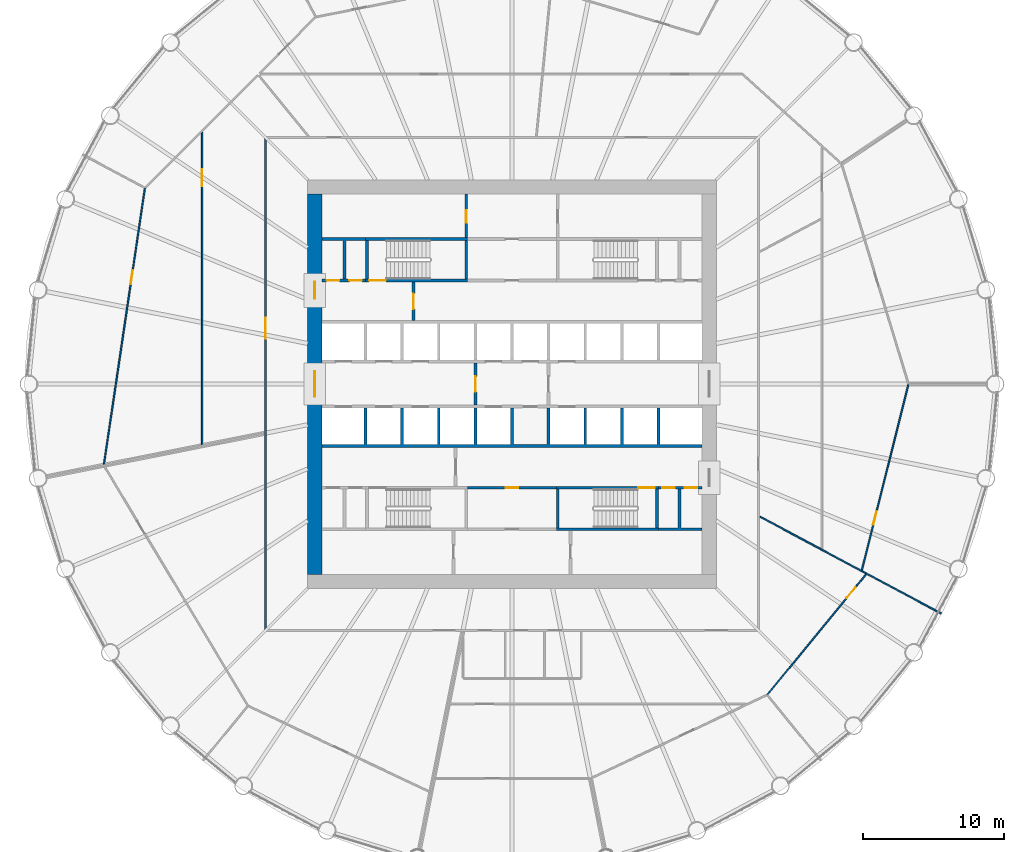
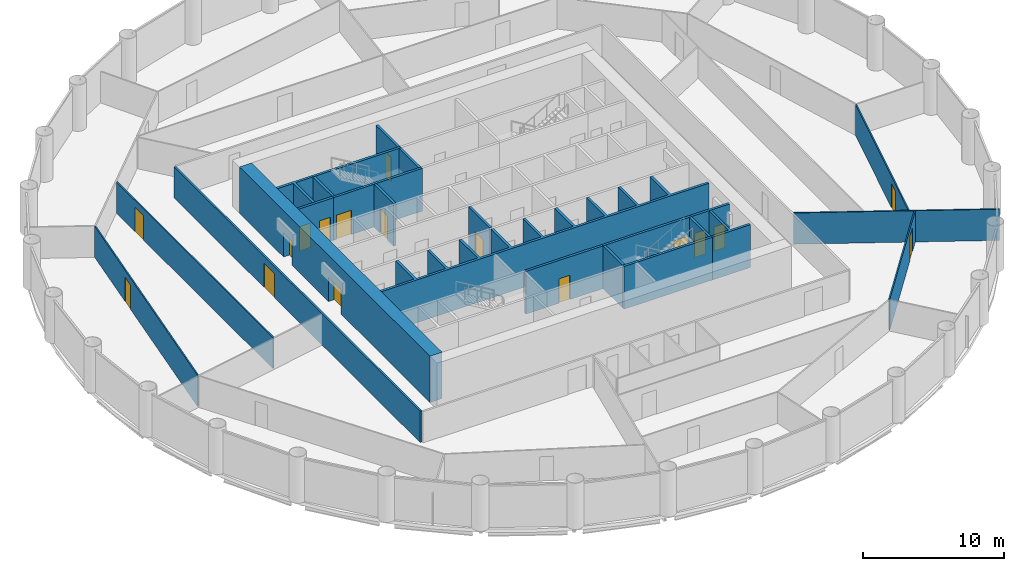
# One storey, part 5 of 8: 24 walls, 17 doors, 17 openings.
"""IFC4 building model written with IfcOpenShell, lengths in metres."""

import ifcopenshell
import ifcopenshell.guid

model = None  # the IFC model being written
_history = None  # IfcOwnerHistory: only IFC2X3 demands one
_inside = {}  # id of a spatial element -> (the spatial element, [elements in it])
_under = {}  # id of a project, library or spatial element -> (it, [spatial elements below it])
_declared = {}  # id of a project -> (the project, [libraries it declares])
_typed = {}  # id of a type object -> (the type object, [elements of that type])
_made_of = {}  # id of a material, layer set ... -> (it, [elements and type objects made of it])


def new_model(schema):
    """Start an empty IFC model of exactly this schema.

    Asked for "IFC4X3", IfcOpenShell would pick the latest addendum, in which some entities
    have other attributes; the version numbers below select the first issue.
    IFC2X3 requires an IfcOwnerHistory on every rooted entity: one is made here for all.
    """
    global model, _history
    if schema == "IFC4X3":
        model = ifcopenshell.file(schema_version=(4, 3, 0, 0))
    else:
        model = ifcopenshell.file(schema=schema)
    _inside.clear()
    _under.clear()
    _declared.clear()
    _typed.clear()
    _made_of.clear()
    _history = None
    if model.schema == "IFC2X3":
        org = make("IfcOrganization", Name="unknown")
        user = make(
            "IfcPersonAndOrganization",
            ThePerson=make("IfcPerson", FamilyName="unknown"),
            TheOrganization=org,
        )
        app = make(
            "IfcApplication",
            ApplicationDeveloper=org,
            Version="unknown",
            ApplicationFullName="unknown",
            ApplicationIdentifier="unknown",
        )
        _history = make(
            "IfcOwnerHistory",
            OwningUser=user,
            OwningApplication=app,
            ChangeAction="ADDED",
            CreationDate=0,
        )
    return model


def make(cls, **values):
    """One entity of the class cls with the attributes given. An attribute that is None is left unset."""
    return model.create_entity(
        cls, **{name: value for name, value in values.items() if value is not None}
    )


def rooted(cls, **values):
    """An entity with a GlobalId (a new one), such as an element, a storey or a relation."""
    return make(cls, GlobalId=ifcopenshell.guid.new(), OwnerHistory=_history, **values)


def si_unit(unit_type, name, prefix=None):
    """IfcSIUnit, for example si_unit("LENGTHUNIT", "METRE", prefix="MILLI")."""
    return make("IfcSIUnit", UnitType=unit_type, Prefix=prefix, Name=name)


def assignment(units):
    """IfcUnitAssignment: the units of a project."""
    return None if units is None else make("IfcUnitAssignment", Units=units)


def point(xyz):
    """IfcCartesianPoint."""
    return None if xyz is None else make("IfcCartesianPoint", Coordinates=xyz)


def direction(xyz):
    """IfcDirection."""
    return None if xyz is None else make("IfcDirection", DirectionRatios=xyz)


def frame(location, z_axis=None, x_axis=None):
    """IfcAxis2Placement3D, a coordinate frame: its origin and axes. An axis left out is left unset."""
    return make(
        "IfcAxis2Placement3D",
        Location=point(location),
        Axis=direction(z_axis),
        RefDirection=direction(x_axis),
    )


def frame_2d(location, x_axis=None):
    """IfcAxis2Placement2D, a coordinate frame in the plane: its origin and x axis."""
    return make(
        "IfcAxis2Placement2D", Location=point(location), RefDirection=direction(x_axis)
    )


def origin():
    """The frame at (0, 0, 0) with its axes left unset."""
    return frame((0.0, 0.0, 0.0))


def place(relative_to, where):
    """IfcLocalPlacement: puts the frame where relative to a parent placement (None: the world)."""
    return make(
        "IfcLocalPlacement", PlacementRelTo=relative_to, RelativePlacement=where
    )


def context(
    kind, dimensions, precision=None, world=None, true_north=None, identifier=None
):
    """IfcGeometricRepresentationContext, for example the 3D "Model" context."""
    return make(
        "IfcGeometricRepresentationContext",
        ContextIdentifier=identifier,
        ContextType=kind,
        CoordinateSpaceDimension=dimensions,
        Precision=precision,
        WorldCoordinateSystem=world,
        TrueNorth=true_north,
    )


def subcontext(parent, identifier, kind, view, scale=None):
    """IfcGeometricRepresentationSubContext, for example "Body" below "Model"."""
    return make(
        "IfcGeometricRepresentationSubContext",
        ContextIdentifier=identifier,
        ContextType=kind,
        ParentContext=parent,
        TargetScale=scale,
        TargetView=view,
    )


def project(units=None, contexts=None):
    """IfcProject with its units and contexts."""
    return rooted(
        "IfcProject",
        Name="project",
        RepresentationContexts=contexts,
        UnitsInContext=assignment(units),
    )


def spatial(cls, under=None, at=None, **own):
    """A site, building, storey or space (cls), placed at a placement, below another one or the project."""
    s = rooted(cls, ObjectPlacement=at, **own)
    if under is not None:
        _under.setdefault(under.id(), (under, []))[1].append(s)
    return s


def polyline(points):
    """IfcPolyline through the points."""
    return make("IfcPolyline", Points=[point(p) for p in points])


def profile(cls, at=None, kind="AREA", **sizes):
    """A parametric profile (cls). Its sizes go by their IFC names, for example OverallWidth=200.0."""
    return make(cls, ProfileType=kind, Position=at, **sizes)


def rectangle(**sizes):
    """IfcRectangleProfileDef."""
    return profile("IfcRectangleProfileDef", **sizes)


def outline(outer, holes=None, kind="AREA"):
    """IfcArbitraryClosedProfileDef: a profile drawn as a closed curve; with holes, ...WithVoids."""
    if holes is None:
        return make("IfcArbitraryClosedProfileDef", ProfileType=kind, OuterCurve=outer)
    return make(
        "IfcArbitraryProfileDefWithVoids",
        ProfileType=kind,
        OuterCurve=outer,
        InnerCurves=holes,
    )


def extrude(swept, where, along, depth):
    """IfcExtrudedAreaSolid: the profile swept, set in the frame where, extruded along a direction by depth."""
    return make(
        "IfcExtrudedAreaSolid",
        SweptArea=swept,
        Position=where,
        ExtrudedDirection=direction(along),
        Depth=depth,
    )


def shape(context_of_items, identifier, shape_type, items):
    """IfcShapeRepresentation: the items that make up one representation, for example the "Body"."""
    return make(
        "IfcShapeRepresentation",
        ContextOfItems=context_of_items,
        RepresentationIdentifier=identifier,
        RepresentationType=shape_type,
        Items=items,
    )


def material(Name=None, Category=None):
    """IfcMaterial."""
    return make("IfcMaterial", Name=Name, Category=Category)


def layer(
    of_material, thickness, ventilated=None, Name=None, Category=None, Priority=None
):
    """IfcMaterialLayer: one layer of a wall or slab, of a material (None: an air gap)."""
    return make(
        "IfcMaterialLayer",
        Material=of_material,
        LayerThickness=thickness,
        IsVentilated=ventilated,
        Name=Name,
        Category=Category,
        Priority=Priority,
    )


def layer_set(layers, Name=None):
    """IfcMaterialLayerSet."""
    return make("IfcMaterialLayerSet", MaterialLayers=layers, LayerSetName=Name)


def made_of(thing, what):
    """Note that an element or type object is made of a material, layer set ...; save() writes the relation."""
    if what is not None:
        _made_of.setdefault(what.id(), (what, []))[1].append(thing)
    return thing


def type_object(cls, material=None, **own):
    """A type object (cls), such as IfcWallType, which elements share."""
    return made_of(rooted(cls, **own), material)


def element(
    cls,
    number,
    at=None,
    inside=None,
    cuts=None,
    type_object=None,
    material=None,
    context=None,
    identifier="Body",
    shape_type=None,
    held_by="IfcProductDefinitionShape",
    body=None,
    shapes=None,
    **own,
):
    """One element of the class cls, such as IfcWall. Its Tag is "e" and its number.

    at: its placement. inside: the storey or other place that contains it. cuts: it is an
    opening in that element (IfcRelVoidsElement). A single representation is given by context,
    identifier, shape_type and body (its items); several are given by shapes. held_by: the class
    of the entity that holds the representations. save() writes the other relations.
    """
    e = rooted(cls, Tag="e%d" % number, ObjectPlacement=at, **own)
    if body is not None:
        shapes = [shape(context, identifier, shape_type, body)]
    if shapes is not None:
        e.Representation = make(held_by, Representations=shapes)
    if inside is not None:
        _inside.setdefault(inside.id(), (inside, []))[1].append(e)
    if cuts is not None:
        rooted(
            "IfcRelVoidsElement", RelatingBuildingElement=cuts, RelatedOpeningElement=e
        )
    if type_object is not None:
        _typed.setdefault(type_object.id(), (type_object, []))[1].append(e)
    return made_of(e, material)


def fill(opening, filler):
    """IfcRelFillsElement: the door or window that sits in an opening."""
    return rooted(
        "IfcRelFillsElement",
        RelatingOpeningElement=opening,
        RelatedBuildingElement=filler,
    )


def aggregate(whole, parts):
    """IfcRelAggregates: a whole, such as a stair, and the parts it consists of."""
    return rooted("IfcRelAggregates", RelatingObject=whole, RelatedObjects=parts)


def save(model, path):
    """Write the relations noted so far, then the file.

    IfcRelAggregates (storeys below a building ...), IfcRelContainedInSpatialStructure (elements
    in a storey), IfcRelDefinesByType, IfcRelAssociatesMaterial and IfcRelDeclares: one each for
    every whole, place, type object, material and project.
    """
    for whole, parts in _under.values():
        aggregate(whole, parts)
    for where, things in _inside.values():
        rooted(
            "IfcRelContainedInSpatialStructure",
            RelatedElements=things,
            RelatingStructure=where,
        )
    for kind, things in _typed.values():
        rooted("IfcRelDefinesByType", RelatedObjects=things, RelatingType=kind)
    for what, things in _made_of.values():
        rooted("IfcRelAssociatesMaterial", RelatedObjects=things, RelatingMaterial=what)
    for by, libraries in _declared.values():
        rooted("IfcRelDeclares", RelatingContext=by, RelatedDefinitions=libraries)
    model.write(path)


model = new_model("IFC4")

# Units and contexts
model_context = context("Model", 3, precision=1e-05, world=origin(), true_north=direction((0.0, 1.0)))
body_context = subcontext(model_context, "Body", "Model", "MODEL_VIEW")
ifc_project = project(units=[si_unit("LENGTHUNIT", "METRE"), si_unit("AREAUNIT", "SQUARE_METRE"), si_unit("VOLUMEUNIT", "CUBIC_METRE"), si_unit("PLANEANGLEUNIT", "RADIAN"), si_unit("MASSUNIT", "GRAM", prefix="KILO")], contexts=[model_context])

# Site, building, storey
site_placement = place(None, origin())
site = spatial("IfcSite", under=ifc_project, at=site_placement, CompositionType="ELEMENT")
building_placement = place(site_placement, origin())
building = spatial("IfcBuilding", under=site, at=building_placement, Name="Corvane Civic Tower", CompositionType="ELEMENT")
storey_placement = place(building_placement, frame((0.0, 0.0, 122.5)))
storey = spatial("IfcBuildingStorey", under=building, at=storey_placement, Name="L28", CompositionType="ELEMENT", Elevation=122.5)

# Wall, openings, doors
ifc_material_1 = material(Name="Concrete C70/85", Category="concrete")
ifc_layer_1 = layer(ifc_material_1, 1.0)
ifc_layer_set_1 = layer_set([ifc_layer_1], Name="Concrete C70/85")
wall_type_1 = type_object("IfcWallType", Name="CORE WALL 1000 C70/85", PredefinedType="SHEAR", material=ifc_layer_set_1)
wall_1_placement = place(storey_placement, frame((-14.0, -13.5, 0.0), z_axis=(0.0, 0.0, 1.0), x_axis=(0.0, 1.0, 0.0)))
wall_1 = element("IfcWall", 1, at=wall_1_placement, inside=storey, type_object=wall_type_1, Name="W-L28-core-W", PredefinedType="SHEAR", context=body_context, shape_type="SweptSolid", body=[
    extrude(rectangle(XDim=27.0, YDim=1.0, at=frame_2d((13.5, 0.0))), origin(), (0.0, 0.0, 1.0), 4.0),
])
opening_1_placement = place(wall_1_placement, frame((12.60009765625, 0.0, 0.0)))
opening_1 = element("IfcOpeningElement", 2, at=opening_1_placement, cuts=wall_1, Name="Opening L28.C26", PredefinedType="OPENING", context=body_context, shape_type="SweptSolid", body=[
    extrude(rectangle(XDim=1.800048828125, YDim=2.10009765625, at=frame_2d((0.89990234375, 1.050048828125))), frame((0.0, 0.510009765625, 0.0), z_axis=(0.0, -1.0, 0.0), x_axis=(1.0, 0.0, 0.0)), (0.0, 0.0, 1.0), 1.02001953125),
])
opening_2_placement = place(wall_1_placement, frame((19.550048828125, 0.0, 0.0)))
opening_2 = element("IfcOpeningElement", 3, at=opening_2_placement, cuts=wall_1, Name="Opening L28.C28", PredefinedType="OPENING", context=body_context, shape_type="SweptSolid", body=[
    extrude(rectangle(XDim=1.199951171875, YDim=2.10009765625, at=frame_2d((0.60009765625, 1.050048828125))), frame((0.0, 0.510009765625, 0.0), z_axis=(0.0, -1.0, 0.0), x_axis=(1.0, 0.0, 0.0)), (0.0, 0.0, 1.0), 1.02001953125),
])
ifc_material_2 = material(Name="Steel fire door leaf", Category="steel")
door_type_1 = type_object("IfcDoorType", Name="CR-DOOR-CORE-1800", OperationType="DOUBLE_DOOR_SINGLE_SWING", PredefinedType="DOOR", material=ifc_material_2)
door_1_placement = place(opening_1_placement, origin())
door_1 = element("IfcDoor", 4, at=door_1_placement, inside=storey, type_object=door_type_1, Name="L28 door", OperationType="DOUBLE_DOOR_SINGLE_SWING", OverallHeight=2.10009765625, OverallWidth=1.800048828125, PredefinedType="DOOR", context=body_context, shape_type="SweptSolid", body=[
    extrude(rectangle(XDim=1.800048828125, YDim=2.10009765625, at=frame_2d((0.89990234375, 1.050048828125))), frame((0.0, 0.02490234375, 0.0), z_axis=(0.0, -1.0, 0.0), x_axis=(1.0, 0.0, 0.0)), (0.0, 0.0, 1.0), 0.050048828125),
])
fill(opening_1, door_1)
door_2_placement = place(opening_2_placement, origin())
door_2 = element("IfcDoor", 5, at=door_2_placement, inside=storey, type_object=door_type_1, Name="L28 door", OperationType="DOUBLE_DOOR_SINGLE_SWING", OverallHeight=2.10009765625, OverallWidth=1.199951171875, PredefinedType="DOOR", context=body_context, shape_type="SweptSolid", body=[
    extrude(rectangle(XDim=1.199951171875, YDim=2.10009765625, at=frame_2d((0.60009765625, 1.050048828125))), frame((0.0, 0.02490234375, 0.0), z_axis=(0.0, -1.0, 0.0), x_axis=(1.0, 0.0, 0.0)), (0.0, 0.0, 1.0), 0.050048828125),
])
fill(opening_2, door_2)

# Wall, opening, door
ifc_material_3 = material(Name="Concrete C30/37", Category="concrete")
ifc_layer_2 = layer(ifc_material_3, 0.199951171875)
ifc_layer_set_2 = layer_set([ifc_layer_2], Name="Concrete C30/37")
wall_type_2 = type_object("IfcWallType", Name="CR-WALL-200", PredefinedType="PARTITIONING", material=ifc_layer_set_2)
wall_2_placement = place(storey_placement, frame((-3.14990234375, -7.35009765625, 0.0), z_axis=(0.0, 0.0, 1.0), x_axis=(1.0, 0.0, 0.0)))
wall_2 = element("IfcWall", 6, at=wall_2_placement, inside=storey, type_object=wall_type_2, Name="L28 core partition wall", PredefinedType="PARTITIONING", context=body_context, shape_type="SweptSolid", body=[
    extrude(rectangle(XDim=6.2998046875, YDim=0.199951171875, at=frame_2d((3.14990234375, 0.0))), origin(), (0.0, 0.0, 1.0), 3.699951171875),
])
opening_3_placement = place(wall_2_placement, frame((2.699951171875, 0.0, 0.0)))
opening_3 = element("IfcOpeningElement", 7, at=opening_3_placement, cuts=wall_2, Name="Opening L28.C03", PredefinedType="OPENING", context=body_context, shape_type="SweptSolid", body=[
    extrude(rectangle(XDim=0.89990234375, YDim=2.10009765625, at=frame_2d((0.449951171875, 1.050048828125))), frame((0.0, 0.10986328125, 0.0), z_axis=(0.0, -1.0, 0.0), x_axis=(1.0, 0.0, 0.0)), (0.0, 0.0, 1.0), 0.219970703125),
])
ifc_material_4 = material(Name="Steel fire door leaf", Category="steel")
door_type_2 = type_object("IfcDoorType", Name="CR-DOOR-900", OperationType="SINGLE_SWING_LEFT", PredefinedType="DOOR", material=ifc_material_4)
door_3_placement = place(opening_3_placement, origin())
door_3 = element("IfcDoor", 8, at=door_3_placement, inside=storey, type_object=door_type_2, Name="L28 door", OperationType="SINGLE_SWING_LEFT", OverallHeight=2.10009765625, OverallWidth=0.89990234375, PredefinedType="DOOR", context=body_context, shape_type="SweptSolid", body=[
    extrude(rectangle(XDim=0.89990234375, YDim=2.10009765625, at=frame_2d((0.449951171875, 1.050048828125))), frame((0.0, 0.02490234375, 0.0), z_axis=(0.0, -1.0, 0.0), x_axis=(1.0, 0.0, 0.0)), (0.0, 0.0, 1.0), 0.050048828125),
])
fill(opening_3, door_3)

# Wall, openings, doors
wall_3_placement = place(storey_placement, frame((10.39990234375, -7.35009765625, 0.0), z_axis=(0.0, 0.0, 1.0), x_axis=(1.0, 0.0, 0.0)))
wall_3 = element("IfcWall", 9, at=wall_3_placement, inside=storey, type_object=wall_type_2, Name="L28 core partition wall", PredefinedType="PARTITIONING", context=body_context, shape_type="SweptSolid", body=[
    extrude(rectangle(XDim=3.10009765625, YDim=0.199951171875, at=frame_2d((1.550048828125, 0.0))), origin(), (0.0, 0.0, 1.0), 3.699951171875),
])
opening_4_placement = place(wall_3_placement, frame((0.25, 0.0, 0.0)))
opening_4 = element("IfcOpeningElement", 10, at=opening_4_placement, cuts=wall_3, Name="Opening L28.C16", PredefinedType="OPENING", context=body_context, shape_type="SweptSolid", body=[
    extrude(rectangle(XDim=0.89990234375, YDim=2.10009765625, at=frame_2d((0.449951171875, 1.050048828125))), frame((0.0, 0.10986328125, 0.0), z_axis=(0.0, -1.0, 0.0), x_axis=(1.0, 0.0, 0.0)), (0.0, 0.0, 1.0), 0.219970703125),
])
opening_5_placement = place(wall_3_placement, frame((1.85009765625, 0.0, 0.0)))
opening_5 = element("IfcOpeningElement", 11, at=opening_5_placement, cuts=wall_3, Name="Opening L28.C17", PredefinedType="OPENING", context=body_context, shape_type="SweptSolid", body=[
    extrude(rectangle(XDim=0.89990234375, YDim=2.10009765625, at=frame_2d((0.449951171875, 1.050048828125))), frame((0.0, 0.10986328125, 0.0), z_axis=(0.0, -1.0, 0.0), x_axis=(1.0, 0.0, 0.0)), (0.0, 0.0, 1.0), 0.219970703125),
])
door_4_placement = place(opening_4_placement, origin())
door_4 = element("IfcDoor", 12, at=door_4_placement, inside=storey, type_object=door_type_2, Name="L28 door", OperationType="SINGLE_SWING_LEFT", OverallHeight=2.10009765625, OverallWidth=0.89990234375, PredefinedType="DOOR", context=body_context, shape_type="SweptSolid", body=[
    extrude(rectangle(XDim=0.89990234375, YDim=2.10009765625, at=frame_2d((0.449951171875, 1.050048828125))), frame((0.0, 0.02490234375, 0.0), z_axis=(0.0, -1.0, 0.0), x_axis=(1.0, 0.0, 0.0)), (0.0, 0.0, 1.0), 0.050048828125),
])
fill(opening_4, door_4)
door_5_placement = place(opening_5_placement, origin())
door_5 = element("IfcDoor", 13, at=door_5_placement, inside=storey, type_object=door_type_2, Name="L28 door", OperationType="SINGLE_SWING_LEFT", OverallHeight=2.10009765625, OverallWidth=0.89990234375, PredefinedType="DOOR", context=body_context, shape_type="SweptSolid", body=[
    extrude(rectangle(XDim=0.89990234375, YDim=2.10009765625, at=frame_2d((0.449951171875, 1.050048828125))), frame((0.0, 0.02490234375, 0.0), z_axis=(0.0, -1.0, 0.0), x_axis=(1.0, 0.0, 0.0)), (0.0, 0.0, 1.0), 0.050048828125),
])
fill(opening_5, door_5)

wall_4_placement = place(storey_placement, frame((-13.5, 7.35009765625, 0.0), z_axis=(0.0, 0.0, 1.0), x_axis=(1.0, 0.0, 0.0)))
wall_4 = element("IfcWall", 14, at=wall_4_placement, inside=storey, type_object=wall_type_2, Name="L28 core partition wall", PredefinedType="PARTITIONING", context=body_context, shape_type="SweptSolid", body=[
    extrude(rectangle(XDim=3.10009765625, YDim=0.199951171875, at=frame_2d((1.550048828125, 0.0))), origin(), (0.0, 0.0, 1.0), 3.699951171875),
])
opening_6_placement = place(wall_4_placement, frame((0.35009765625, 0.0, 0.0)))
opening_6 = element("IfcOpeningElement", 15, at=opening_6_placement, cuts=wall_4, Name="Opening L28.C10", PredefinedType="OPENING", context=body_context, shape_type="SweptSolid", body=[
    extrude(rectangle(XDim=0.89990234375, YDim=2.10009765625, at=frame_2d((0.449951171875, 1.050048828125))), frame((0.0, 0.10986328125, 0.0), z_axis=(0.0, -1.0, 0.0), x_axis=(1.0, 0.0, 0.0)), (0.0, 0.0, 1.0), 0.219970703125),
])
opening_7_placement = place(wall_4_placement, frame((1.949951171875, 0.0, 0.0)))
opening_7 = element("IfcOpeningElement", 16, at=opening_7_placement, cuts=wall_4, Name="Opening L28.C11", PredefinedType="OPENING", context=body_context, shape_type="SweptSolid", body=[
    extrude(rectangle(XDim=0.89990234375, YDim=2.10009765625, at=frame_2d((0.449951171875, 1.050048828125))), frame((0.0, 0.10986328125, 0.0), z_axis=(0.0, -1.0, 0.0), x_axis=(1.0, 0.0, 0.0)), (0.0, 0.0, 1.0), 0.219970703125),
])
door_6_placement = place(opening_6_placement, origin())
door_6 = element("IfcDoor", 17, at=door_6_placement, inside=storey, type_object=door_type_2, Name="L28 door", OperationType="SINGLE_SWING_LEFT", OverallHeight=2.10009765625, OverallWidth=0.89990234375, PredefinedType="DOOR", context=body_context, shape_type="SweptSolid", body=[
    extrude(rectangle(XDim=0.89990234375, YDim=2.10009765625, at=frame_2d((0.449951171875, 1.050048828125))), frame((0.0, 0.02490234375, 0.0), z_axis=(0.0, -1.0, 0.0), x_axis=(1.0, 0.0, 0.0)), (0.0, 0.0, 1.0), 0.050048828125),
])
fill(opening_6, door_6)
door_7_placement = place(opening_7_placement, origin())
door_7 = element("IfcDoor", 18, at=door_7_placement, inside=storey, type_object=door_type_2, Name="L28 door", OperationType="SINGLE_SWING_LEFT", OverallHeight=2.10009765625, OverallWidth=0.89990234375, PredefinedType="DOOR", context=body_context, shape_type="SweptSolid", body=[
    extrude(rectangle(XDim=0.89990234375, YDim=2.10009765625, at=frame_2d((0.449951171875, 1.050048828125))), frame((0.0, 0.02490234375, 0.0), z_axis=(0.0, -1.0, 0.0), x_axis=(1.0, 0.0, 0.0)), (0.0, 0.0, 1.0), 0.050048828125),
])
fill(opening_7, door_7)

# Wall, opening, door
wall_5_placement = place(storey_placement, frame((-7.0, 4.5, 0.0), z_axis=(0.0, 0.0, 1.0), x_axis=(0.0, 1.0, 0.0)))
wall_5 = element("IfcWall", 19, at=wall_5_placement, inside=storey, type_object=wall_type_2, Name="L28 core partition wall", PredefinedType="PARTITIONING", context=body_context, shape_type="SweptSolid", body=[
    extrude(rectangle(XDim=2.75, YDim=0.199951171875, at=frame_2d((1.375, 0.0))), origin(), (0.0, 0.0, 1.0), 3.699951171875),
])
opening_8_placement = place(wall_5_placement, frame((0.824951171875, 0.0, 0.0)))
opening_8 = element("IfcOpeningElement", 20, at=opening_8_placement, cuts=wall_5, Name="Opening L28.C24", PredefinedType="OPENING", context=body_context, shape_type="SweptSolid", body=[
    extrude(rectangle(XDim=1.10009765625, YDim=2.10009765625, at=frame_2d((0.550048828125, 1.050048828125))), frame((0.0, 0.10986328125, 0.0), z_axis=(0.0, -1.0, 0.0), x_axis=(1.0, 0.0, 0.0)), (0.0, 0.0, 1.0), 0.219970703125),
])
ifc_material_5 = material(Name="Steel fire door leaf", Category="steel")
door_type_3 = type_object("IfcDoorType", Name="CR-DOOR-FFL-1100", OperationType="SINGLE_SWING_LEFT", PredefinedType="DOOR", material=ifc_material_5)
door_8_placement = place(opening_8_placement, origin())
door_8 = element("IfcDoor", 21, at=door_8_placement, inside=storey, type_object=door_type_3, Name="L28 lobby door", OperationType="SINGLE_SWING_LEFT", OverallHeight=2.10009765625, OverallWidth=1.10009765625, PredefinedType="DOOR", context=body_context, shape_type="SweptSolid", body=[
    extrude(rectangle(XDim=1.10009765625, YDim=2.10009765625, at=frame_2d((0.550048828125, 1.050048828125))), frame((0.0, 0.02490234375, 0.0), z_axis=(0.0, -1.0, 0.0), x_axis=(1.0, 0.0, 0.0)), (0.0, 0.0, 1.0), 0.050048828125),
])
fill(opening_8, door_8)

wall_6_placement = place(storey_placement, frame((-3.25, 10.39990234375, 0.0), z_axis=(0.0, 0.0, 1.0), x_axis=(0.0, 1.0, 0.0)))
wall_6 = element("IfcWall", 22, at=wall_6_placement, inside=storey, type_object=wall_type_2, Name="L28 partition wall", PredefinedType="PARTITIONING", context=body_context, shape_type="SweptSolid", body=[
    extrude(rectangle(XDim=3.10009765625, YDim=0.199951171875, at=frame_2d((1.550048828125, 0.0))), origin(), (0.0, 0.0, 1.0), 3.699951171875),
])
opening_9_placement = place(wall_6_placement, frame((1.050048828125, 0.0, 0.0)))
opening_9 = element("IfcOpeningElement", 23, at=opening_9_placement, cuts=wall_6, Name="Opening L28.C04", PredefinedType="OPENING", context=body_context, shape_type="SweptSolid", body=[
    extrude(rectangle(XDim=0.89990234375, YDim=2.10009765625, at=frame_2d((0.449951171875, 1.050048828125))), frame((0.0, 0.10986328125, 0.0), z_axis=(0.0, -1.0, 0.0), x_axis=(1.0, 0.0, 0.0)), (0.0, 0.0, 1.0), 0.219970703125),
])
door_9_placement = place(opening_9_placement, origin())
door_9 = element("IfcDoor", 24, at=door_9_placement, inside=storey, type_object=door_type_2, Name="L28 door", OperationType="SINGLE_SWING_LEFT", OverallHeight=2.10009765625, OverallWidth=0.89990234375, PredefinedType="DOOR", context=body_context, shape_type="SweptSolid", body=[
    extrude(rectangle(XDim=0.89990234375, YDim=2.10009765625, at=frame_2d((0.449951171875, 1.050048828125))), frame((0.0, 0.02490234375, 0.0), z_axis=(0.0, -1.0, 0.0), x_axis=(1.0, 0.0, 0.0)), (0.0, 0.0, 1.0), 0.050048828125),
])
fill(opening_9, door_9)

wall_7_placement = place(storey_placement, frame((-2.60009765625, -1.5, 0.0), z_axis=(0.0, 0.0, 1.0), x_axis=(0.0, 1.0, 0.0)))
wall_7 = element("IfcWall", 25, at=wall_7_placement, inside=storey, type_object=wall_type_2, Name="L28 firefighting lobby wall", PredefinedType="PARTITIONING", context=body_context, shape_type="SweptSolid", body=[
    extrude(rectangle(XDim=3.0, YDim=0.199951171875, at=frame_2d((1.5, 0.0))), origin(), (0.0, 0.0, 1.0), 3.699951171875),
])
opening_10_placement = place(wall_7_placement, frame((0.949951171875, 0.0, 0.0)))
opening_10 = element("IfcOpeningElement", 26, at=opening_10_placement, cuts=wall_7, Name="Opening L28.C22", PredefinedType="OPENING", context=body_context, shape_type="SweptSolid", body=[
    extrude(rectangle(XDim=1.10009765625, YDim=2.10009765625, at=frame_2d((0.550048828125, 1.050048828125))), frame((0.0, 0.10986328125, 0.0), z_axis=(0.0, -1.0, 0.0), x_axis=(1.0, 0.0, 0.0)), (0.0, 0.0, 1.0), 0.219970703125),
])
door_10_placement = place(opening_10_placement, origin())
door_10 = element("IfcDoor", 27, at=door_10_placement, inside=storey, type_object=door_type_3, Name="L28 lobby door", OperationType="SINGLE_SWING_LEFT", OverallHeight=2.10009765625, OverallWidth=1.10009765625, PredefinedType="DOOR", context=body_context, shape_type="SweptSolid", body=[
    extrude(rectangle(XDim=1.10009765625, YDim=2.10009765625, at=frame_2d((0.550048828125, 1.050048828125))), frame((0.0, 0.02490234375, 0.0), z_axis=(0.0, -1.0, 0.0), x_axis=(1.0, 0.0, 0.0)), (0.0, 0.0, 1.0), 0.050048828125),
])
fill(opening_10, door_10)

# Walls
wall_8_placement = place(storey_placement, origin())
element("IfcWall", 28, at=wall_8_placement, inside=storey, type_object=wall_type_2, Name="L28 core partition wall", PredefinedType="PARTITIONING", context=body_context, shape_type="SweptSolid", body=[
    extrude(outline(polyline([(-13.5, 10.39990234375), (-10.39990234375, 10.39990234375), (-10.39990234375, 10.199951171875), (-11.800048828125, 10.199951171875), (-11.800048828125, 7.449951171875), (-12.0, 7.449951171875), (-12.0, 10.199951171875), (-13.5, 10.199951171875), (-13.5, 10.39990234375)])), origin(), (0.0, 0.0, 1.0), 3.699951171875),
])
wall_9_placement = place(storey_placement, origin())
element("IfcWall", 29, at=wall_9_placement, inside=storey, type_object=wall_type_2, Name="L28 core partition wall", PredefinedType="PARTITIONING", context=body_context, shape_type="SweptSolid", body=[
    extrude(outline(polyline([(-10.300048828125, -1.699951171875), (-10.300048828125, -4.300048828125), (-7.89990234375, -4.300048828125), (-7.89990234375, -1.699951171875), (-7.699951171875, -1.699951171875), (-7.699951171875, -4.300048828125), (-5.300048828125, -4.300048828125), (-5.300048828125, -1.699951171875), (-5.10009765625, -1.699951171875), (-5.10009765625, -4.300048828125), (-2.699951171875, -4.300048828125), (-2.699951171875, -1.699951171875), (-2.5, -1.699951171875), (-2.5, -4.300048828125), (-0.10009765625, -4.300048828125), (-0.10009765625, -1.699951171875), (0.10009765625, -1.699951171875), (0.10009765625, -4.300048828125), (2.5, -4.300048828125), (2.5, -1.699951171875), (2.699951171875, -1.699951171875), (2.699951171875, -4.300048828125), (5.10009765625, -4.300048828125), (5.10009765625, -1.699951171875), (5.300048828125, -1.699951171875), (5.300048828125, -4.300048828125), (7.699951171875, -4.300048828125), (7.699951171875, -1.699951171875), (7.89990234375, -1.699951171875), (7.89990234375, -4.300048828125), (10.300048828125, -4.300048828125), (10.300048828125, -1.699951171875), (10.5, -1.699951171875), (10.5, -4.300048828125), (13.5, -4.300048828125), (13.5, -4.5), (-13.5, -4.5), (-13.5, -4.300048828125), (-10.5, -4.300048828125), (-10.5, -1.699951171875), (-10.300048828125, -1.699951171875)])), origin(), (0.0, 0.0, 1.0), 3.699951171875),
])
wall_10_placement = place(storey_placement, origin())
element("IfcWall", 30, at=wall_10_placement, inside=storey, type_object=wall_type_2, Name="L28 core partition wall", PredefinedType="PARTITIONING", context=body_context, shape_type="SweptSolid", body=[
    extrude(outline(polyline([(11.800048828125, -7.449951171875), (12.0, -7.449951171875), (12.0, -10.199951171875), (13.5, -10.199951171875), (13.5, -10.39990234375), (10.39990234375, -10.39990234375), (10.39990234375, -10.199951171875), (11.800048828125, -10.199951171875), (11.800048828125, -7.449951171875)])), origin(), (0.0, 0.0, 1.0), 3.699951171875),
])

# Wall, opening, door
ifc_material_6 = material(Name="Plasterboard")
ifc_layer_3 = layer(ifc_material_6, 0.10009765625)
ifc_layer_set_3 = layer_set([ifc_layer_3], Name="Plasterboard")
wall_type_3 = type_object("IfcWallType", Name="Partition 100 plasterboard on studs", PredefinedType="PARTITIONING", material=ifc_layer_set_3)
wall_11_placement = place(storey_placement, frame((18.133544921875, -22.032470703125, 0.0), z_axis=(0.0, 0.0, 1.0), x_axis=(0.634386449962, 0.773016061996, 0.0)))
wall_11 = element("IfcWall", 31, at=wall_11_placement, inside=storey, type_object=wall_type_3, Name="Partition L28.010", PredefinedType="PARTITIONING", context=body_context, shape_type="SweptSolid", body=[
    extrude(rectangle(XDim=11.03515625, YDim=0.10009765625, at=frame_2d((5.517578125, 0.0))), origin(), (0.0, 0.0, 1.0), 2.699951171875),
])
opening_11_placement = place(wall_11_placement, frame((8.84228515625, 0.0, 0.0)))
opening_11 = element("IfcOpeningElement", 32, at=opening_11_placement, cuts=wall_11, Name="Opening L28.018", PredefinedType="OPENING", context=body_context, shape_type="SweptSolid", body=[
    extrude(rectangle(XDim=1.0, YDim=2.10009765625, at=frame_2d((0.5, 1.050048828125))), frame((0.0, 0.06005859375, 0.0), z_axis=(0.0, -1.0, 0.0), x_axis=(1.0, 0.0, 0.0)), (0.0, 0.0, 1.0), 0.1201171875),
])
ifc_material_7 = material(Name="Timber", Category="wood")
door_type_4 = type_object("IfcDoorType", Name="Single door 1000", OperationType="NOTDEFINED", PredefinedType="DOOR", material=ifc_material_7)
door_11_placement = place(opening_11_placement, frame((1.0, 0.0, 0.0), z_axis=(0.0, 0.0, 1.0), x_axis=(-1.0, 0.0, 0.0)))
door_11 = element("IfcDoor", 33, at=door_11_placement, inside=storey, type_object=door_type_4, Name="Door L28.018", OperationType="SINGLE_SWING_RIGHT", OverallHeight=2.10009765625, OverallWidth=1.0, PredefinedType="DOOR", context=body_context, shape_type="SweptSolid", body=[
    extrude(rectangle(XDim=1.0, YDim=2.10009765625, at=frame_2d((0.5, 1.050048828125))), frame((0.0, 0.02490234375, 0.0), z_axis=(0.0, -1.0, 0.0), x_axis=(1.0, 0.0, 0.0)), (0.0, 0.0, 1.0), 0.050048828125),
])
fill(opening_11, door_11)

# Wall
wall_12_placement = place(storey_placement, frame((17.5986328125, -9.406494140625, 0.0), z_axis=(0.0, 0.0, 1.0), x_axis=(0.881914523069, -0.471409348655, 0.0)))
element("IfcWall", 34, at=wall_12_placement, inside=storey, type_object=wall_type_3, Name="Partition L28.019", PredefinedType="PARTITIONING", context=body_context, shape_type="SweptSolid", body=[
    extrude(rectangle(XDim=14.59521484375, YDim=0.10009765625, at=frame_2d((7.297607421875, 0.0))), origin(), (0.0, 0.0, 1.0), 2.699951171875),
])

# Wall, opening, door
wall_13_placement = place(storey_placement, frame((24.8349609375, -13.2041015625, 0.0), z_axis=(0.0, 0.0, 1.0), x_axis=(0.242988451645, 0.970029181194, 0.0)))
wall_13 = element("IfcWall", 35, at=wall_13_placement, inside=storey, type_object=wall_type_3, Name="Partition L28.020", PredefinedType="PARTITIONING", context=body_context, shape_type="SweptSolid", body=[
    extrude(rectangle(XDim=13.572998046875, YDim=0.10009765625, at=frame_2d((6.78662109375, 0.0))), origin(), (0.0, 0.0, 1.0), 2.699951171875),
])
opening_12_placement = place(wall_13_placement, frame((3.315185546875, 0.0, 0.0)))
opening_12 = element("IfcOpeningElement", 36, at=opening_12_placement, cuts=wall_13, Name="Opening L28.013", PredefinedType="OPENING", context=body_context, shape_type="SweptSolid", body=[
    extrude(rectangle(XDim=1.0, YDim=2.10009765625, at=frame_2d((0.5, 1.050048828125))), frame((0.0, 0.06005859375, 0.0), z_axis=(0.0, -1.0, 0.0), x_axis=(1.0, 0.0, 0.0)), (0.0, 0.0, 1.0), 0.1201171875),
])
door_12_placement = place(opening_12_placement, frame((1.0, 0.0, 0.0), z_axis=(0.0, 0.0, 1.0), x_axis=(-1.0, 0.0, 0.0)))
door_12 = element("IfcDoor", 37, at=door_12_placement, inside=storey, type_object=door_type_4, Name="Door L28.013", OperationType="SINGLE_SWING_LEFT", OverallHeight=2.10009765625, OverallWidth=1.0, PredefinedType="DOOR", context=body_context, shape_type="SweptSolid", body=[
    extrude(rectangle(XDim=1.0, YDim=2.10009765625, at=frame_2d((0.5, 1.050048828125))), frame((0.0, 0.02490234375, 0.0), z_axis=(0.0, -1.0, 0.0), x_axis=(1.0, 0.0, 0.0)), (0.0, 0.0, 1.0), 0.050048828125),
])
fill(opening_12, door_12)

wall_14_placement = place(storey_placement, frame((-28.966064453125, -5.693603515625, 0.0), z_axis=(0.0, 0.0, 1.0), x_axis=(0.146730982045, 0.989176434671, 0.0)))
wall_14 = element("IfcWall", 38, at=wall_14_placement, inside=storey, type_object=wall_type_3, Name="Partition L28.023", PredefinedType="PARTITIONING", context=body_context, shape_type="SweptSolid", body=[
    extrude(rectangle(XDim=19.800048828125, YDim=0.10009765625, at=frame_2d((9.89990234375, 0.0))), origin(), (0.0, 0.0, 1.0), 2.699951171875),
])
opening_13_placement = place(wall_14_placement, frame((12.93359375, 0.0, 0.0)))
opening_13 = element("IfcOpeningElement", 39, at=opening_13_placement, cuts=wall_14, Name="Opening L28.004", PredefinedType="OPENING", context=body_context, shape_type="SweptSolid", body=[
    extrude(rectangle(XDim=1.0, YDim=2.10009765625, at=frame_2d((0.5, 1.050048828125))), frame((0.0, 0.06005859375, 0.0), z_axis=(0.0, -1.0, 0.0), x_axis=(1.0, 0.0, 0.0)), (0.0, 0.0, 1.0), 0.1201171875),
])
door_13_placement = place(opening_13_placement, origin())
door_13 = element("IfcDoor", 40, at=door_13_placement, inside=storey, type_object=door_type_4, Name="Door L28.004", OperationType="SINGLE_SWING_LEFT", OverallHeight=2.10009765625, OverallWidth=1.0, PredefinedType="DOOR", context=body_context, shape_type="SweptSolid", body=[
    extrude(rectangle(XDim=1.0, YDim=2.10009765625, at=frame_2d((0.5, 1.050048828125))), frame((0.0, 0.02490234375, 0.0), z_axis=(0.0, -1.0, 0.0), x_axis=(1.0, 0.0, 0.0)), (0.0, 0.0, 1.0), 0.050048828125),
])
fill(opening_13, door_13)

wall_15_placement = place(storey_placement, frame((-22.0, -4.315185546875, 0.0), z_axis=(0.0, 0.0, 1.0), x_axis=(0.0, 1.0, 0.0)))
wall_15 = element("IfcWall", 41, at=wall_15_placement, inside=storey, type_object=wall_type_3, Name="Partition L28.024", PredefinedType="PARTITIONING", context=body_context, shape_type="SweptSolid", body=[
    extrude(rectangle(XDim=22.177001953125, YDim=0.10009765625, at=frame_2d((11.08837890625, 0.0))), origin(), (0.0, 0.0, 1.0), 2.699951171875),
])
opening_14_placement = place(wall_15_placement, frame((18.351318359375, 0.0, 0.0)))
opening_14 = element("IfcOpeningElement", 42, at=opening_14_placement, cuts=wall_15, Name="Opening L28.007", PredefinedType="OPENING", context=body_context, shape_type="SweptSolid", body=[
    extrude(rectangle(XDim=1.199951171875, YDim=2.10009765625, at=frame_2d((0.60009765625, 1.050048828125))), frame((0.0, 0.06005859375, 0.0), z_axis=(0.0, -1.0, 0.0), x_axis=(1.0, 0.0, 0.0)), (0.0, 0.0, 1.0), 0.1201171875),
])
ifc_material_8 = material(Name="Timber", Category="wood")
door_type_5 = type_object("IfcDoorType", Name="Double door 1200", OperationType="NOTDEFINED", PredefinedType="DOOR", material=ifc_material_8)
door_14_placement = place(opening_14_placement, origin())
door_14 = element("IfcDoor", 43, at=door_14_placement, inside=storey, type_object=door_type_5, Name="Door L28.007", OperationType="DOUBLE_DOOR_SINGLE_SWING", OverallHeight=2.10009765625, OverallWidth=1.199951171875, PredefinedType="DOOR", context=body_context, shape_type="SweptSolid", body=[
    extrude(rectangle(XDim=1.199951171875, YDim=2.10009765625, at=frame_2d((0.60009765625, 1.050048828125))), frame((0.0, 0.02490234375, 0.0), z_axis=(0.0, -1.0, 0.0), x_axis=(1.0, 0.0, 0.0)), (0.0, 0.0, 1.0), 0.050048828125),
])
fill(opening_14, door_14)

ifc_material_9 = material(Name="Concrete C50/60", Category="concrete")
ifc_layer_4 = layer(ifc_material_9, 0.199951171875)
ifc_layer_set_4 = layer_set([ifc_layer_4], Name="Concrete C50/60")
wall_type_4 = type_object("IfcWallType", Name="ST-WALL-200", PredefinedType="SHEAR", material=ifc_layer_set_4)
wall_16_placement = place(storey_placement, frame((3.14990234375, -7.35009765625, 0.0), z_axis=(0.0, 0.0, 1.0), x_axis=(1.0, 0.0, 0.0)))
wall_16 = element("IfcWall", 44, at=wall_16_placement, inside=storey, type_object=wall_type_4, Name="L28 stair enclosure wall", PredefinedType="SHEAR", context=body_context, shape_type="SweptSolid", body=[
    extrude(rectangle(XDim=7.25, YDim=0.199951171875, at=frame_2d((3.625, 0.0))), origin(), (0.0, 0.0, 1.0), 3.699951171875),
])
opening_15_placement = place(wall_16_placement, frame((5.800048828125, 0.0, 0.0)))
opening_15 = element("IfcOpeningElement", 45, at=opening_15_placement, cuts=wall_16, Name="Opening L28.C20", PredefinedType="OPENING", context=body_context, shape_type="SweptSolid", body=[
    extrude(rectangle(XDim=1.199951171875, YDim=2.10009765625, at=frame_2d((0.60009765625, 1.050048828125))), frame((0.0, 0.10986328125, 0.0), z_axis=(0.0, -1.0, 0.0), x_axis=(1.0, 0.0, 0.0)), (0.0, 0.0, 1.0), 0.219970703125),
])
ifc_material_10 = material(Name="Steel fire door leaf", Category="steel")
door_type_6 = type_object("IfcDoorType", Name="ST-DOOR-1200", OperationType="SINGLE_SWING_RIGHT", PredefinedType="DOOR", material=ifc_material_10)
door_15_placement = place(opening_15_placement, origin())
door_15 = element("IfcDoor", 46, at=door_15_placement, inside=storey, type_object=door_type_6, Name="L28 stair door", OperationType="SINGLE_SWING_RIGHT", OverallHeight=2.10009765625, OverallWidth=1.199951171875, PredefinedType="DOOR", context=body_context, shape_type="SweptSolid", body=[
    extrude(rectangle(XDim=1.199951171875, YDim=2.10009765625, at=frame_2d((0.60009765625, 1.050048828125))), frame((0.0, 0.02490234375, 0.0), z_axis=(0.0, -1.0, 0.0), x_axis=(1.0, 0.0, 0.0)), (0.0, 0.0, 1.0), 0.050048828125),
])
fill(opening_15, door_15)

wall_17_placement = place(storey_placement, frame((-10.39990234375, 7.35009765625, 0.0), z_axis=(0.0, 0.0, 1.0), x_axis=(1.0, 0.0, 0.0)))
wall_17 = element("IfcWall", 47, at=wall_17_placement, inside=storey, type_object=wall_type_4, Name="L28 stair enclosure wall", PredefinedType="SHEAR", context=body_context, shape_type="SweptSolid", body=[
    extrude(rectangle(XDim=7.25, YDim=0.199951171875, at=frame_2d((3.625, 0.0))), origin(), (0.0, 0.0, 1.0), 3.699951171875),
])
opening_16_placement = place(wall_17_placement, frame((0.25, 0.0, 0.0)))
opening_16 = element("IfcOpeningElement", 48, at=opening_16_placement, cuts=wall_17, Name="Opening L28.C19", PredefinedType="OPENING", context=body_context, shape_type="SweptSolid", body=[
    extrude(rectangle(XDim=1.199951171875, YDim=2.10009765625, at=frame_2d((0.60009765625, 1.050048828125))), frame((0.0, 0.10986328125, 0.0), z_axis=(0.0, -1.0, 0.0), x_axis=(1.0, 0.0, 0.0)), (0.0, 0.0, 1.0), 0.219970703125),
])
door_16_placement = place(opening_16_placement, origin())
door_16 = element("IfcDoor", 49, at=door_16_placement, inside=storey, type_object=door_type_6, Name="L28 stair door", OperationType="SINGLE_SWING_RIGHT", OverallHeight=2.10009765625, OverallWidth=1.199951171875, PredefinedType="DOOR", context=body_context, shape_type="SweptSolid", body=[
    extrude(rectangle(XDim=1.199951171875, YDim=2.10009765625, at=frame_2d((0.60009765625, 1.050048828125))), frame((0.0, 0.02490234375, 0.0), z_axis=(0.0, -1.0, 0.0), x_axis=(1.0, 0.0, 0.0)), (0.0, 0.0, 1.0), 0.050048828125),
])
fill(opening_16, door_16)

# Walls
wall_18_placement = place(storey_placement, origin())
element("IfcWall", 50, at=wall_18_placement, inside=storey, type_object=wall_type_4, Name="L28 stair enclosure wall", PredefinedType="SHEAR", context=body_context, shape_type="SweptSolid", body=[
    extrude(outline(polyline([(-3.14990234375, 10.199951171875), (-10.39990234375, 10.199951171875), (-10.39990234375, 10.39990234375), (-3.14990234375, 10.39990234375), (-3.14990234375, 10.199951171875)])), origin(), (0.0, 0.0, 1.0), 3.699951171875),
])
wall_19_placement = place(storey_placement, origin())
element("IfcWall", 51, at=wall_19_placement, inside=storey, type_object=wall_type_4, Name="L28 stair enclosure wall", PredefinedType="SHEAR", context=body_context, shape_type="SweptSolid", body=[
    extrude(outline(polyline([(10.39990234375, -10.39990234375), (3.14990234375, -10.39990234375), (3.14990234375, -10.199951171875), (10.39990234375, -10.199951171875), (10.39990234375, -10.39990234375)])), origin(), (0.0, 0.0, 1.0), 3.699951171875),
])
wall_20_placement = place(storey_placement, origin())
element("IfcWall", 52, at=wall_20_placement, inside=storey, type_object=wall_type_4, Name="L28 stair enclosure wall", PredefinedType="SHEAR", context=body_context, shape_type="SweptSolid", body=[
    extrude(outline(polyline([(-3.14990234375, 7.449951171875), (-3.35009765625, 7.449951171875), (-3.35009765625, 10.199951171875), (-3.14990234375, 10.199951171875), (-3.14990234375, 7.449951171875)])), origin(), (0.0, 0.0, 1.0), 3.699951171875),
])
wall_21_placement = place(storey_placement, origin())
element("IfcWall", 53, at=wall_21_placement, inside=storey, type_object=wall_type_4, Name="L28 stair enclosure wall", PredefinedType="SHEAR", context=body_context, shape_type="SweptSolid", body=[
    extrude(outline(polyline([(3.35009765625, -7.449951171875), (3.35009765625, -10.199951171875), (3.14990234375, -10.199951171875), (3.14990234375, -7.449951171875), (3.35009765625, -7.449951171875)])), origin(), (0.0, 0.0, 1.0), 3.699951171875),
])
wall_22_placement = place(storey_placement, origin())
element("IfcWall", 54, at=wall_22_placement, inside=storey, type_object=wall_type_4, Name="L28 stair enclosure wall", PredefinedType="SHEAR", context=body_context, shape_type="SweptSolid", body=[
    extrude(outline(polyline([(-10.199951171875, 7.449951171875), (-10.39990234375, 7.449951171875), (-10.39990234375, 10.199951171875), (-10.199951171875, 10.199951171875), (-10.199951171875, 7.449951171875)])), origin(), (0.0, 0.0, 1.0), 3.699951171875),
])
wall_23_placement = place(storey_placement, origin())
element("IfcWall", 55, at=wall_23_placement, inside=storey, type_object=wall_type_4, Name="L28 stair enclosure wall", PredefinedType="SHEAR", context=body_context, shape_type="SweptSolid", body=[
    extrude(outline(polyline([(10.39990234375, -7.449951171875), (10.39990234375, -10.199951171875), (10.199951171875, -10.199951171875), (10.199951171875, -7.449951171875), (10.39990234375, -7.449951171875)])), origin(), (0.0, 0.0, 1.0), 3.699951171875),
])

# Wall, opening, door
ifc_material_11 = material(Name="Plasterboard")
ifc_layer_5 = layer(ifc_material_11, 0.14990234375)
ifc_layer_set_5 = layer_set([ifc_layer_5], Name="Plasterboard")
wall_type_5 = type_object("IfcWallType", Name="Tenancy wall 150 EI 60", PredefinedType="PARTITIONING", material=ifc_layer_set_5)
wall_24_placement = place(storey_placement, frame((-17.5, -17.425048828125, 0.0), z_axis=(0.0, 0.0, 1.0), x_axis=(0.0, 1.0, 0.0)))
wall_24 = element("IfcWall", 56, at=wall_24_placement, inside=storey, type_object=wall_type_5, Name="Partition L28.017", PredefinedType="PARTITIONING", context=body_context, shape_type="SweptSolid", body=[
    extrude(rectangle(XDim=34.85009765625, YDim=0.14990234375, at=frame_2d((17.425048828125, 0.0))), origin(), (0.0, 0.0, 1.0), 2.699951171875),
])
opening_17_placement = place(wall_24_placement, frame((20.637939453125, 0.0, 0.0)))
opening_17 = element("IfcOpeningElement", 57, at=opening_17_placement, cuts=wall_24, Name="Opening L28.009", PredefinedType="OPENING", context=body_context, shape_type="SweptSolid", body=[
    extrude(rectangle(XDim=1.5, YDim=2.10009765625, at=frame_2d((0.75, 1.050048828125))), frame((0.0, 0.0849609375, 0.0), z_axis=(0.0, -1.0, 0.0), x_axis=(1.0, 0.0, 0.0)), (0.0, 0.0, 1.0), 0.169921875),
])
ifc_material_12 = material(Name="Steel and timber", Category="steel")
door_type_7 = type_object("IfcDoorType", Name="Fire door FD60 double 1500", OperationType="NOTDEFINED", PredefinedType="DOOR", material=ifc_material_12)
door_17_placement = place(opening_17_placement, origin())
door_17 = element("IfcDoor", 58, at=door_17_placement, inside=storey, type_object=door_type_7, Name="Door L28.009", OperationType="DOUBLE_DOOR_SINGLE_SWING", OverallHeight=2.10009765625, OverallWidth=1.5, PredefinedType="DOOR", context=body_context, shape_type="SweptSolid", body=[
    extrude(rectangle(XDim=1.5, YDim=2.10009765625, at=frame_2d((0.75, 1.050048828125))), frame((0.0, 0.02490234375, 0.0), z_axis=(0.0, -1.0, 0.0), x_axis=(1.0, 0.0, 0.0)), (0.0, 0.0, 1.0), 0.050048828125),
])
fill(opening_17, door_17)

save(model, "model.ifc")
